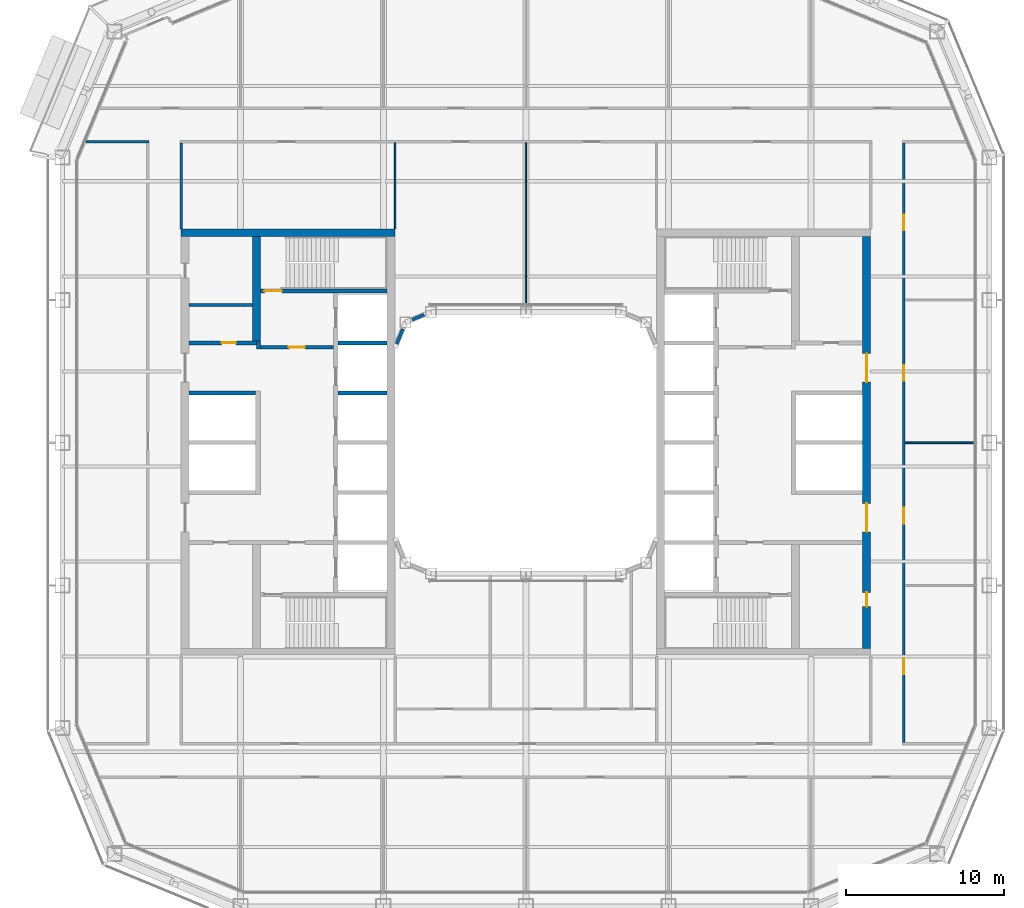
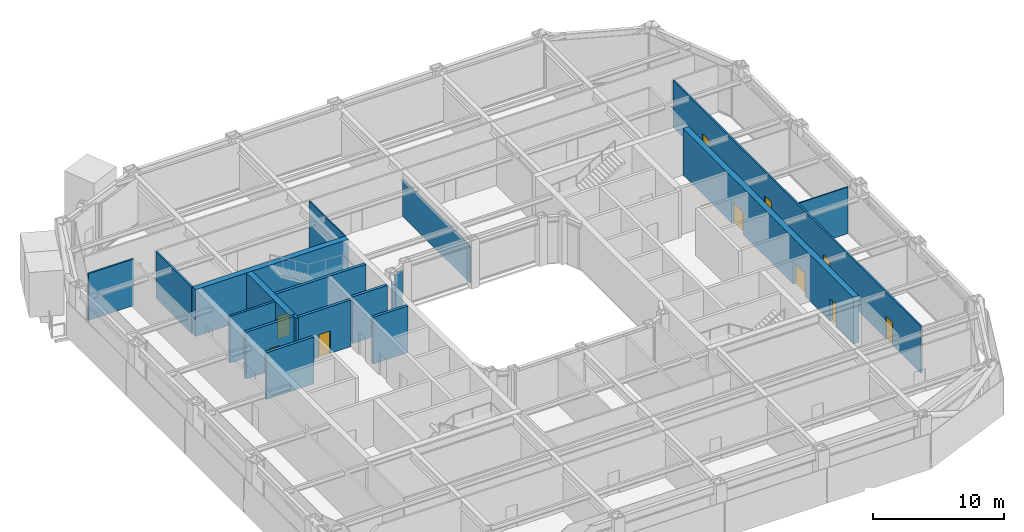
# One storey, part 13 of 23: 19 walls, 10 doors, 10 openings.
"""IFC4 building model written with IfcOpenShell, lengths in metres."""

from ifc_helpers import new_model, si_unit, direction, frame, frame_2d, origin, place, context, subcontext, project, spatial, rectangle, extrude, material, layer, layer_set, type_object, element, fill, save


model = new_model("IFC4")

# Units and contexts
model_context = context("Model", 3, precision=1e-05, world=origin(), true_north=direction((0.0, 1.0)))
body_context = subcontext(model_context, "Body", "Model", "MODEL_VIEW")
ifc_project = project(units=[si_unit("LENGTHUNIT", "METRE"), si_unit("AREAUNIT", "SQUARE_METRE"), si_unit("VOLUMEUNIT", "CUBIC_METRE"), si_unit("PLANEANGLEUNIT", "RADIAN"), si_unit("MASSUNIT", "GRAM", prefix="KILO")], contexts=[model_context])

# Site, building, storey
site_placement = place(None, origin())
site = spatial("IfcSite", under=ifc_project, at=site_placement, CompositionType="ELEMENT")
building_placement = place(site_placement, origin())
building = spatial("IfcBuilding", under=site, at=building_placement, Name="Siwar Civic Tower", CompositionType="ELEMENT")
storey_placement = place(building_placement, frame((0.0, 0.0, 136.199951171875)))
storey = spatial("IfcBuildingStorey", under=building, at=storey_placement, Name="L29", CompositionType="ELEMENT", Elevation=136.199951171875)

# Wall
ifc_material_1 = material(Name="Gypsum board on steel studs", Category="steel")
ifc_layer_1 = layer(ifc_material_1, 0.199951171875)
ifc_layer_set_1 = layer_set([ifc_layer_1], Name="Gypsum board on steel studs")
wall_type_1 = type_object("IfcWallType", Name="CORE-PARTITION-200", PredefinedType="PARTITIONING", material=ifc_layer_set_1)
wall_1_placement = place(storey_placement, frame((-17.25, 8.699951171875, 0.0), z_axis=(0.0, 0.0, 1.0), x_axis=(-1.0, 0.0, 0.0)))
element("IfcWall", 1, at=wall_1_placement, inside=storey, type_object=wall_type_1, Name="Core partition W", PredefinedType="PARTITIONING", context=body_context, shape_type="SweptSolid", body=[
    extrude(rectangle(XDim=4.0, YDim=0.199951171875, at=frame_2d((2.0, 0.0))), origin(), (0.0, 0.0, 1.0), 4.35009765625),
])

# Wall, opening, door
ifc_material_2 = material(Name="Concrete C60/75", Category="concrete")
ifc_layer_2 = layer(ifc_material_2, 0.25)
ifc_layer_set_2 = layer_set([ifc_layer_2], Name="Concrete C60/75")
wall_type_2 = type_object("IfcWallType", Name="CORE-WALL-RC250", PredefinedType="SHEAR", material=ifc_layer_set_2)
wall_2_placement = place(storey_placement, frame((-12.14990234375, 6.02490234375, 0.0), z_axis=(0.0, 0.0, 1.0), x_axis=(-1.0, 0.0, 0.0)))
wall_2 = element("IfcWall", 2, at=wall_2_placement, inside=storey, type_object=wall_type_2, Name="Core wall W", PredefinedType="SHEAR", context=body_context, shape_type="SweptSolid", body=[
    extrude(rectangle(XDim=4.60009765625, YDim=0.25, at=frame_2d((2.300048828125, 0.0))), origin(), (0.0, 0.0, 1.0), 4.35009765625),
])
opening_1_placement = place(wall_2_placement, frame((1.800048828125, 0.0, 0.0)))
opening_1 = element("IfcOpeningElement", 3, at=opening_1_placement, cuts=wall_2, Name="Opening L29-CW01", PredefinedType="OPENING", context=body_context, shape_type="SweptSolid", body=[
    extrude(rectangle(XDim=1.0, YDim=2.10009765625, at=frame_2d((0.5, 1.050048828125))), frame((0.0, 0.135009765625, 0.0), z_axis=(0.0, -1.0, 0.0), x_axis=(1.0, 0.0, 0.0)), (0.0, 0.0, 1.0), 0.27001953125),
])
ifc_material_3 = material(Name="Steel door leaf", Category="steel")
door_type_1 = type_object("IfcDoorType", Name="CORE-DOOR-FD30S", OperationType="SINGLE_SWING_LEFT", PredefinedType="DOOR", material=ifc_material_3)
door_1_placement = place(opening_1_placement, origin())
door_1 = element("IfcDoor", 4, at=door_1_placement, inside=storey, type_object=door_type_1, Name="Firefighting lobby door L29-CW01", OperationType="SINGLE_SWING_LEFT", OverallHeight=2.10009765625, OverallWidth=1.0, PredefinedType="DOOR", context=body_context, shape_type="SweptSolid", body=[
    extrude(rectangle(XDim=1.0, YDim=2.10009765625, at=frame_2d((0.5, 1.050048828125))), frame((0.0, 0.02490234375, 0.0), z_axis=(0.0, -1.0, 0.0), x_axis=(1.0, 0.0, 0.0)), (0.0, 0.0, 1.0), 0.050048828125),
])
fill(opening_1, door_1)

# Wall
wall_3_placement = place(storey_placement, frame((-16.875, 5.89990234375, 0.0), z_axis=(0.0, 0.0, 1.0), x_axis=(0.0, 1.0, 0.0)))
element("IfcWall", 5, at=wall_3_placement, inside=storey, type_object=wall_type_2, Name="Core wall W", PredefinedType="SHEAR", context=body_context, shape_type="SweptSolid", body=[
    extrude(rectangle(XDim=0.525146484375, YDim=0.25, at=frame_2d((0.2626953125, 0.0))), origin(), (0.0, 0.0, 1.0), 4.35009765625),
])

# Wall, opening, door
wall_4_placement = place(storey_placement, frame((-17.0, 6.300048828125, 0.0), z_axis=(0.0, 0.0, 1.0), x_axis=(-1.0, 0.0, 0.0)))
wall_4 = element("IfcWall", 6, at=wall_4_placement, inside=storey, type_object=wall_type_2, Name="Core wall W", PredefinedType="SHEAR", context=body_context, shape_type="SweptSolid", body=[
    extrude(rectangle(XDim=4.25, YDim=0.25, at=frame_2d((2.125, 0.0))), origin(), (0.0, 0.0, 1.0), 4.35009765625),
])
opening_2_placement = place(wall_4_placement, frame((1.300048828125, 0.0, 0.0)))
opening_2 = element("IfcOpeningElement", 7, at=opening_2_placement, cuts=wall_4, Name="Opening L29-CW13", PredefinedType="OPENING", context=body_context, shape_type="SweptSolid", body=[
    extrude(rectangle(XDim=0.89990234375, YDim=2.10009765625, at=frame_2d((0.449951171875, 1.050048828125))), frame((0.0, 0.135009765625, 0.0), z_axis=(0.0, -1.0, 0.0), x_axis=(1.0, 0.0, 0.0)), (0.0, 0.0, 1.0), 0.27001953125),
])
ifc_material_4 = material(Name="Steel door leaf", Category="steel")
door_type_2 = type_object("IfcDoorType", Name="CORE-DOOR-ROOM", OperationType="SINGLE_SWING_LEFT", PredefinedType="DOOR", material=ifc_material_4)
door_2_placement = place(opening_2_placement, origin())
door_2 = element("IfcDoor", 8, at=door_2_placement, inside=storey, type_object=door_type_2, Name="Core room door L29-CW13", OperationType="SINGLE_SWING_LEFT", OverallHeight=2.10009765625, OverallWidth=0.89990234375, PredefinedType="DOOR", context=body_context, shape_type="SweptSolid", body=[
    extrude(rectangle(XDim=0.89990234375, YDim=2.10009765625, at=frame_2d((0.449951171875, 1.050048828125))), frame((0.0, 0.02490234375, 0.0), z_axis=(0.0, -1.0, 0.0), x_axis=(1.0, 0.0, 0.0)), (0.0, 0.0, 1.0), 0.050048828125),
])
fill(opening_2, door_2)

# Walls
wall_5_placement = place(storey_placement, frame((-17.050048828125, 3.14990234375, 0.0), z_axis=(0.0, 0.0, 1.0), x_axis=(-1.0, 0.0, 0.0)))
element("IfcWall", 9, at=wall_5_placement, inside=storey, type_object=wall_type_2, Name="Core wall W", PredefinedType="SHEAR", context=body_context, shape_type="SweptSolid", body=[
    extrude(rectangle(XDim=4.199951171875, YDim=0.25, at=frame_2d((2.10009765625, 0.0))), origin(), (0.0, 0.0, 1.0), 4.35009765625),
])
for number, where, z_axis, x_axis, name in (
    (10, (-8.75, 3.14990234375, 0.0), (0.0, 0.0, 1.0), (-1.0, 0.0, 0.0), "Core wall W"),
    (11, (-8.75, 6.300048828125, 0.0), (0.0, 0.0, 1.0), (-1.0, 0.0, 0.0), "Core wall W"),
):
    element("IfcWall", number, at=place(storey_placement, frame(where, z_axis=z_axis, x_axis=x_axis)), inside=storey, type_object=wall_type_2, Name=name, PredefinedType="SHEAR", context=body_context, shape_type="SweptSolid", body=[
        extrude(rectangle(XDim=3.10009765625, YDim=0.25, at=frame_2d((1.550048828125, 0.0))), origin(), (0.0, 0.0, 1.0), 4.35009765625),
    ])

# Wall, opening, door
wall_6_placement = place(storey_placement, frame((-8.75, 9.574951171875, 0.0), z_axis=(0.0, 0.0, 1.0), x_axis=(-1.0, 0.0, 0.0)))
wall_6 = element("IfcWall", 12, at=wall_6_placement, inside=storey, type_object=wall_type_2, Name="Core wall W", PredefinedType="SHEAR", context=body_context, shape_type="SweptSolid", body=[
    extrude(rectangle(XDim=8.0, YDim=0.25, at=frame_2d((4.0, 0.0))), origin(), (0.0, 0.0, 1.0), 4.35009765625),
])
opening_3_placement = place(wall_6_placement, frame((6.64990234375, 0.0, 0.0)))
opening_3 = element("IfcOpeningElement", 13, at=opening_3_placement, cuts=wall_6, Name="Opening L29-CW03", PredefinedType="OPENING", context=body_context, shape_type="SweptSolid", body=[
    extrude(rectangle(XDim=1.10009765625, YDim=2.10009765625, at=frame_2d((0.550048828125, 1.050048828125))), frame((0.0, 0.135009765625, 0.0), z_axis=(0.0, -1.0, 0.0), x_axis=(1.0, 0.0, 0.0)), (0.0, 0.0, 1.0), 0.27001953125),
])
ifc_material_5 = material(Name="Steel door leaf", Category="steel")
door_type_3 = type_object("IfcDoorType", Name="CORE-DOOR-FD60S", OperationType="SINGLE_SWING_LEFT", PredefinedType="DOOR", material=ifc_material_5)
door_3_placement = place(opening_3_placement, origin())
door_3 = element("IfcDoor", 14, at=door_3_placement, inside=storey, type_object=door_type_3, Name="Stair door L29-CW03", OperationType="SINGLE_SWING_RIGHT", OverallHeight=2.10009765625, OverallWidth=1.10009765625, PredefinedType="DOOR", context=body_context, shape_type="SweptSolid", body=[
    extrude(rectangle(XDim=1.10009765625, YDim=2.10009765625, at=frame_2d((0.550048828125, 1.050048828125))), frame((0.0, 0.02490234375, 0.0), z_axis=(0.0, -1.0, 0.0), x_axis=(1.0, 0.0, 0.0)), (0.0, 0.0, 1.0), 0.050048828125),
])
fill(opening_3, door_3)

# Walls
ifc_material_6 = material(Name="Concrete C60/75", Category="concrete")
ifc_layer_3 = layer(ifc_material_6, 0.5)
ifc_layer_set_3 = layer_set([ifc_layer_3], Name="Concrete C60/75")
wall_type_3 = type_object("IfcWallType", Name="CORE-WALL-RC500", PredefinedType="SHEAR", material=ifc_layer_set_3)
wall_7_placement = place(storey_placement, frame((-17.0, 6.425048828125, 0.0), z_axis=(0.0, 0.0, 1.0), x_axis=(0.0, 1.0, 0.0)))
element("IfcWall", 15, at=wall_7_placement, inside=storey, type_object=wall_type_3, Name="Core wall W", PredefinedType="SHEAR", context=body_context, shape_type="SweptSolid", body=[
    extrude(rectangle(XDim=6.574951171875, YDim=0.5, at=frame_2d((3.28759765625, 0.0))), origin(), (0.0, 0.0, 1.0), 4.35009765625),
])
wall_8_placement = place(storey_placement, frame((-8.25, 13.25, 0.0), z_axis=(0.0, 0.0, 1.0), x_axis=(-1.0, 0.0, 0.0)))
element("IfcWall", 16, at=wall_8_placement, inside=storey, type_object=wall_type_3, Name="Core wall W", PredefinedType="SHEAR", context=body_context, shape_type="SweptSolid", body=[
    extrude(rectangle(XDim=13.5, YDim=0.5, at=frame_2d((6.75, 0.0))), origin(), (0.0, 0.0, 1.0), 4.35009765625),
])

# Wall, openings, doors
wall_9_placement = place(storey_placement, frame((21.5, -13.0, 0.0), z_axis=(0.0, 0.0, 1.0), x_axis=(0.0, 1.0, 0.0)))
wall_9 = element("IfcWall", 17, at=wall_9_placement, inside=storey, type_object=wall_type_3, Name="Core wall E", PredefinedType="SHEAR", context=body_context, shape_type="SweptSolid", body=[
    extrude(rectangle(XDim=26.0, YDim=0.5, at=frame_2d((13.0, 0.0))), origin(), (0.0, 0.0, 1.0), 4.35009765625),
])
opening_4_placement = place(wall_9_placement, frame((16.824951171875, 0.0, 0.0)))
opening_4 = element("IfcOpeningElement", 18, at=opening_4_placement, cuts=wall_9, Name="Opening L29-CE05", PredefinedType="OPENING", context=body_context, shape_type="SweptSolid", body=[
    extrude(rectangle(XDim=1.800048828125, YDim=2.10009765625, at=frame_2d((0.89990234375, 1.050048828125))), frame((0.0, 0.260009765625, 0.0), z_axis=(0.0, -1.0, 0.0), x_axis=(1.0, 0.0, 0.0)), (0.0, 0.0, 1.0), 0.52001953125),
])
opening_5_placement = place(wall_9_placement, frame((7.375, 0.0, 0.0)))
opening_5 = element("IfcOpeningElement", 19, at=opening_5_placement, cuts=wall_9, Name="Opening L29-CE06", PredefinedType="OPENING", context=body_context, shape_type="SweptSolid", body=[
    extrude(rectangle(XDim=1.800048828125, YDim=2.10009765625, at=frame_2d((0.89990234375, 1.050048828125))), frame((0.0, 0.260009765625, 0.0), z_axis=(0.0, -1.0, 0.0), x_axis=(1.0, 0.0, 0.0)), (0.0, 0.0, 1.0), 0.52001953125),
])
opening_6_placement = place(wall_9_placement, frame((2.64990234375, 0.0, 0.0)))
opening_6 = element("IfcOpeningElement", 20, at=opening_6_placement, cuts=wall_9, Name="Opening L29-CE14", PredefinedType="OPENING", context=body_context, shape_type="SweptSolid", body=[
    extrude(rectangle(XDim=0.89990234375, YDim=2.10009765625, at=frame_2d((0.449951171875, 1.050048828125))), frame((0.0, 0.260009765625, 0.0), z_axis=(0.0, -1.0, 0.0), x_axis=(1.0, 0.0, 0.0)), (0.0, 0.0, 1.0), 0.52001953125),
])
ifc_material_7 = material(Name="Steel door leaf", Category="steel")
door_type_4 = type_object("IfcDoorType", Name="CORE-DOOR-PORT", OperationType="DOUBLE_DOOR_DOUBLE_SWING", PredefinedType="DOOR", material=ifc_material_7)
door_4_placement = place(opening_4_placement, origin())
door_4 = element("IfcDoor", 21, at=door_4_placement, inside=storey, type_object=door_type_4, Name="Core entrance door L29-CE05", OperationType="DOUBLE_DOOR_DOUBLE_SWING", OverallHeight=2.10009765625, OverallWidth=1.800048828125, PredefinedType="DOOR", context=body_context, shape_type="SweptSolid", body=[
    extrude(rectangle(XDim=1.800048828125, YDim=2.10009765625, at=frame_2d((0.89990234375, 1.050048828125))), frame((0.0, 0.02490234375, 0.0), z_axis=(0.0, -1.0, 0.0), x_axis=(1.0, 0.0, 0.0)), (0.0, 0.0, 1.0), 0.050048828125),
])
fill(opening_4, door_4)
door_5_placement = place(opening_5_placement, origin())
door_5 = element("IfcDoor", 22, at=door_5_placement, inside=storey, type_object=door_type_4, Name="Core entrance door L29-CE06", OperationType="DOUBLE_DOOR_DOUBLE_SWING", OverallHeight=2.10009765625, OverallWidth=1.800048828125, PredefinedType="DOOR", context=body_context, shape_type="SweptSolid", body=[
    extrude(rectangle(XDim=1.800048828125, YDim=2.10009765625, at=frame_2d((0.89990234375, 1.050048828125))), frame((0.0, 0.02490234375, 0.0), z_axis=(0.0, -1.0, 0.0), x_axis=(1.0, 0.0, 0.0)), (0.0, 0.0, 1.0), 0.050048828125),
])
fill(opening_5, door_5)
door_6_placement = place(opening_6_placement, origin())
door_6 = element("IfcDoor", 23, at=door_6_placement, inside=storey, type_object=door_type_2, Name="Core room door L29-CE14", OperationType="SINGLE_SWING_RIGHT", OverallHeight=2.10009765625, OverallWidth=0.89990234375, PredefinedType="DOOR", context=body_context, shape_type="SweptSolid", body=[
    extrude(rectangle(XDim=0.89990234375, YDim=2.10009765625, at=frame_2d((0.449951171875, 1.050048828125))), frame((0.0, 0.02490234375, 0.0), z_axis=(0.0, -1.0, 0.0), x_axis=(1.0, 0.0, 0.0)), (0.0, 0.0, 1.0), 0.050048828125),
])
fill(opening_6, door_6)

# Walls
ifc_material_8 = material(Name="Gypsum board on steel studs", Category="steel")
ifc_layer_4 = layer(ifc_material_8, 0.14990234375)
ifc_layer_set_4 = layer_set([ifc_layer_4], Name="Gypsum board on steel studs")
wall_type_4 = type_object("IfcWallType", Name="CORRIDOR PARTITION 150 EI 30", PredefinedType="PARTITIONING", material=ifc_layer_set_4)
wall_10_placement = place(storey_placement, frame((-27.763916015625, 19.0, 0.0), z_axis=(0.0, 0.0, 1.0), x_axis=(1.0, 0.0, 0.0)))
element("IfcWall", 24, at=wall_10_placement, inside=storey, type_object=wall_type_4, Name="L29/wall/P10", PredefinedType="PARTITIONING", context=body_context, shape_type="SweptSolid", body=[
    extrude(rectangle(XDim=3.989013671875, YDim=0.14990234375, at=frame_2d((1.99462890625, 0.0))), origin(), (0.0, 0.0, 1.0), 4.35009765625),
])
wall_11_placement = place(storey_placement, frame((-21.75, 13.5, 0.0), z_axis=(0.0, 0.0, 1.0), x_axis=(0.0, 1.0, 0.0)))
element("IfcWall", 25, at=wall_11_placement, inside=storey, type_object=wall_type_4, Name="L29/wall/P16", PredefinedType="PARTITIONING", context=body_context, shape_type="SweptSolid", body=[
    extrude(rectangle(XDim=5.425048828125, YDim=0.14990234375, at=frame_2d((2.71240234375, 0.0))), origin(), (0.0, 0.0, 1.0), 4.35009765625),
])

# Wall, openings, doors
wall_12_placement = place(storey_placement, frame((23.85009765625, -18.925048828125, 0.0), z_axis=(0.0, 0.0, 1.0), x_axis=(0.0, 1.0, 0.0)))
wall_12 = element("IfcWall", 26, at=wall_12_placement, inside=storey, type_object=wall_type_4, Name="L29/wall/P38", PredefinedType="PARTITIONING", context=body_context, shape_type="SweptSolid", body=[
    extrude(rectangle(XDim=37.85009765625, YDim=0.14990234375, at=frame_2d((18.925048828125, 0.0))), origin(), (0.0, 0.0, 1.0), 4.35009765625),
])
opening_7_placement = place(wall_12_placement, frame((4.324951171875, 0.0, 0.0)))
opening_7 = element("IfcOpeningElement", 27, at=opening_7_placement, cuts=wall_12, Name="Opening D1", PredefinedType="OPENING", context=body_context, shape_type="SweptSolid", body=[
    extrude(rectangle(XDim=1.0, YDim=2.10009765625, at=frame_2d((0.5, 1.050048828125))), frame((0.0, 0.0849609375, 0.0), z_axis=(0.0, -1.0, 0.0), x_axis=(1.0, 0.0, 0.0)), (0.0, 0.0, 1.0), 0.169921875),
])
opening_8_placement = place(wall_12_placement, frame((13.824951171875, 0.0, 0.0)))
opening_8 = element("IfcOpeningElement", 28, at=opening_8_placement, cuts=wall_12, Name="Opening D1", PredefinedType="OPENING", context=body_context, shape_type="SweptSolid", body=[
    extrude(rectangle(XDim=1.0, YDim=2.10009765625, at=frame_2d((0.5, 1.050048828125))), frame((0.0, 0.0849609375, 0.0), z_axis=(0.0, -1.0, 0.0), x_axis=(1.0, 0.0, 0.0)), (0.0, 0.0, 1.0), 0.169921875),
])
opening_9_placement = place(wall_12_placement, frame((22.824951171875, 0.0, 0.0)))
opening_9 = element("IfcOpeningElement", 29, at=opening_9_placement, cuts=wall_12, Name="Opening D1", PredefinedType="OPENING", context=body_context, shape_type="SweptSolid", body=[
    extrude(rectangle(XDim=1.0, YDim=2.10009765625, at=frame_2d((0.5, 1.050048828125))), frame((0.0, 0.0849609375, 0.0), z_axis=(0.0, -1.0, 0.0), x_axis=(1.0, 0.0, 0.0)), (0.0, 0.0, 1.0), 0.169921875),
])
opening_10_placement = place(wall_12_placement, frame((32.324951171875, 0.0, 0.0)))
opening_10 = element("IfcOpeningElement", 30, at=opening_10_placement, cuts=wall_12, Name="Opening D1", PredefinedType="OPENING", context=body_context, shape_type="SweptSolid", body=[
    extrude(rectangle(XDim=1.0, YDim=2.10009765625, at=frame_2d((0.5, 1.050048828125))), frame((0.0, 0.0849609375, 0.0), z_axis=(0.0, -1.0, 0.0), x_axis=(1.0, 0.0, 0.0)), (0.0, 0.0, 1.0), 0.169921875),
])
ifc_material_9 = material(Name="Timber, painted", Category="wood")
door_type_5 = type_object("IfcDoorType", Name="DOOR 1000 X 2100 FD30", OperationType="SINGLE_SWING_LEFT", PredefinedType="DOOR", material=ifc_material_9)
door_7_placement = place(opening_7_placement, origin())
door_7 = element("IfcDoor", 31, at=door_7_placement, inside=storey, type_object=door_type_5, Name="L29-D25", OperationType="SINGLE_SWING_LEFT", OverallHeight=2.10009765625, OverallWidth=1.0, PredefinedType="DOOR", context=body_context, shape_type="SweptSolid", body=[
    extrude(rectangle(XDim=1.0, YDim=2.10009765625, at=frame_2d((0.5, 1.050048828125))), frame((0.0, 0.02490234375, 0.0), z_axis=(0.0, -1.0, 0.0), x_axis=(1.0, 0.0, 0.0)), (0.0, 0.0, 1.0), 0.050048828125),
])
fill(opening_7, door_7)
door_8_placement = place(opening_8_placement, origin())
door_8 = element("IfcDoor", 32, at=door_8_placement, inside=storey, type_object=door_type_5, Name="L29-D26", OperationType="SINGLE_SWING_RIGHT", OverallHeight=2.10009765625, OverallWidth=1.0, PredefinedType="DOOR", context=body_context, shape_type="SweptSolid", body=[
    extrude(rectangle(XDim=1.0, YDim=2.10009765625, at=frame_2d((0.5, 1.050048828125))), frame((0.0, 0.02490234375, 0.0), z_axis=(0.0, -1.0, 0.0), x_axis=(1.0, 0.0, 0.0)), (0.0, 0.0, 1.0), 0.050048828125),
])
fill(opening_8, door_8)
door_9_placement = place(opening_9_placement, origin())
door_9 = element("IfcDoor", 33, at=door_9_placement, inside=storey, type_object=door_type_5, Name="L29-D27", OperationType="SINGLE_SWING_LEFT", OverallHeight=2.10009765625, OverallWidth=1.0, PredefinedType="DOOR", context=body_context, shape_type="SweptSolid", body=[
    extrude(rectangle(XDim=1.0, YDim=2.10009765625, at=frame_2d((0.5, 1.050048828125))), frame((0.0, 0.02490234375, 0.0), z_axis=(0.0, -1.0, 0.0), x_axis=(1.0, 0.0, 0.0)), (0.0, 0.0, 1.0), 0.050048828125),
])
fill(opening_9, door_9)
door_10_placement = place(opening_10_placement, origin())
door_10 = element("IfcDoor", 34, at=door_10_placement, inside=storey, type_object=door_type_5, Name="L29-D28", OperationType="SINGLE_SWING_RIGHT", OverallHeight=2.10009765625, OverallWidth=1.0, PredefinedType="DOOR", context=body_context, shape_type="SweptSolid", body=[
    extrude(rectangle(XDim=1.0, YDim=2.10009765625, at=frame_2d((0.5, 1.050048828125))), frame((0.0, 0.02490234375, 0.0), z_axis=(0.0, -1.0, 0.0), x_axis=(1.0, 0.0, 0.0)), (0.0, 0.0, 1.0), 0.050048828125),
])
fill(opening_10, door_10)

# Walls
ifc_material_10 = material(Name="Aluminium clad insulated panel", Category="aluminium")
ifc_layer_5 = layer(ifc_material_10, 0.199951171875)
ifc_layer_set_5 = layer_set([ifc_layer_5], Name="Aluminium clad insulated panel")
wall_type_5 = type_object("IfcWallType", Name="ENV-WALL-WELL", PredefinedType="STANDARD", material=ifc_layer_set_5)
wall_13_placement = place(storey_placement, frame((-6.422607421875, 8.074951171875, 0.0), z_axis=(0.0, 0.0, 1.0), x_axis=(-0.923817771127, -0.382832503518, 0.0)))
element("IfcWall", 35, at=wall_13_placement, inside=storey, type_object=wall_type_5, Name="Light well corner wall NW1", PredefinedType="STANDARD", context=body_context, shape_type="SweptSolid", body=[
    extrude(rectangle(XDim=0.807373046875, YDim=0.199951171875, at=frame_2d((0.40380859375, 0.0))), origin(), (0.0, 0.0, 1.0), 3.825927734375),
])
wall_14_placement = place(storey_placement, frame((-7.765869140625, 7.16845703125, 0.0), z_axis=(0.0, 0.0, 1.0), x_axis=(-0.382769662028, -0.923843810301, 0.0)))
element("IfcWall", 36, at=wall_14_placement, inside=storey, type_object=wall_type_5, Name="Light well corner wall NW2", PredefinedType="STANDARD", context=body_context, shape_type="SweptSolid", body=[
    extrude(rectangle(XDim=1.014892578125, YDim=0.199951171875, at=frame_2d((0.50732421875, 0.0))), origin(), (0.0, 0.0, 1.0), 3.825927734375),
])
ifc_material_11 = material(Name="Gypsum board on steel studs", Category="steel")
ifc_layer_6 = layer(ifc_material_11, 0.10009765625)
ifc_layer_set_6 = layer_set([ifc_layer_6], Name="Gypsum board on steel studs")
wall_type_6 = type_object("IfcWallType", Name="PARTITION 100 GYPSUM", PredefinedType="PARTITIONING", material=ifc_layer_set_6)
wall_15_placement = place(storey_placement, frame((23.925048828125, 0.0, 0.0), z_axis=(0.0, 0.0, 1.0), x_axis=(1.0, 0.0, 0.0)))
element("IfcWall", 37, at=wall_15_placement, inside=storey, type_object=wall_type_6, Name="L29/wall/P08", PredefinedType="PARTITIONING", context=body_context, shape_type="SweptSolid", body=[
    extrude(rectangle(XDim=4.3349609375, YDim=0.10009765625, at=frame_2d((2.16748046875, 0.0))), origin(), (0.0, 0.0, 1.0), 4.35009765625),
])
wall_16_placement = place(storey_placement, frame((-8.25, 13.5, 0.0), z_axis=(0.0, 0.0, 1.0), x_axis=(0.0, 1.0, 0.0)))
element("IfcWall", 38, at=wall_16_placement, inside=storey, type_object=wall_type_6, Name="L29/wall/P21", PredefinedType="PARTITIONING", context=body_context, shape_type="SweptSolid", body=[
    extrude(rectangle(XDim=5.425048828125, YDim=0.10009765625, at=frame_2d((2.71240234375, 0.0))), origin(), (0.0, 0.0, 1.0), 4.35009765625),
])
wall_17_placement = place(storey_placement, frame((0.0, 8.64990234375, 0.0), z_axis=(0.0, 0.0, 1.0), x_axis=(0.0, 1.0, 0.0)))
element("IfcWall", 39, at=wall_17_placement, inside=storey, type_object=wall_type_6, Name="L29/wall/P25", PredefinedType="PARTITIONING", context=body_context, shape_type="SweptSolid", body=[
    extrude(rectangle(XDim=10.275146484375, YDim=0.10009765625, at=frame_2d((5.1376953125, 0.0))), origin(), (0.0, 0.0, 1.0), 3.449951171875),
])

save(model, "model.ifc")
